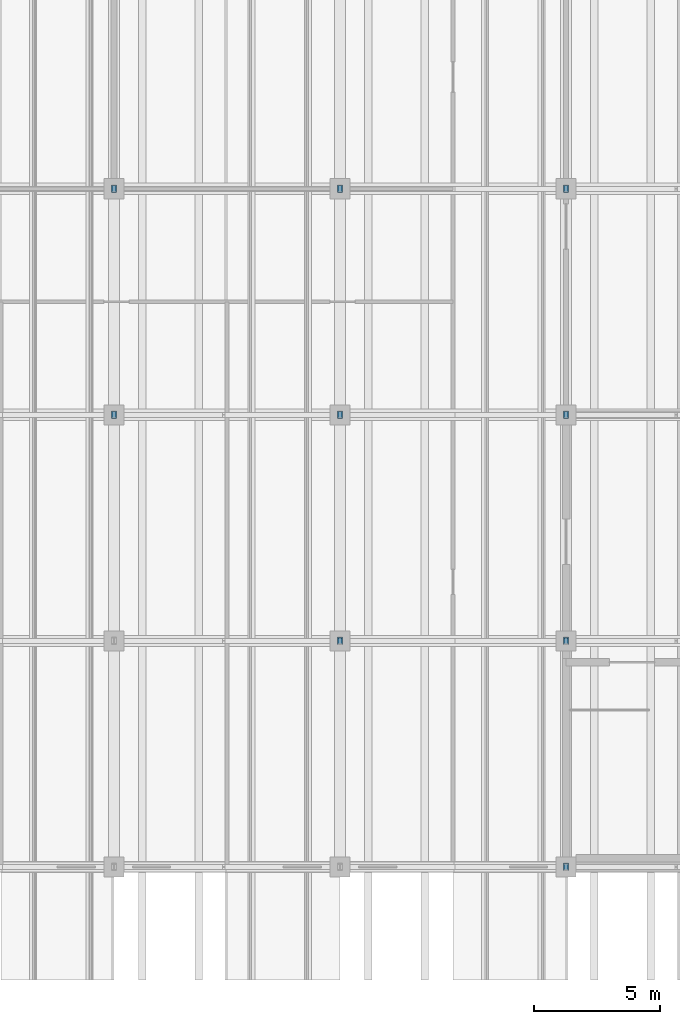
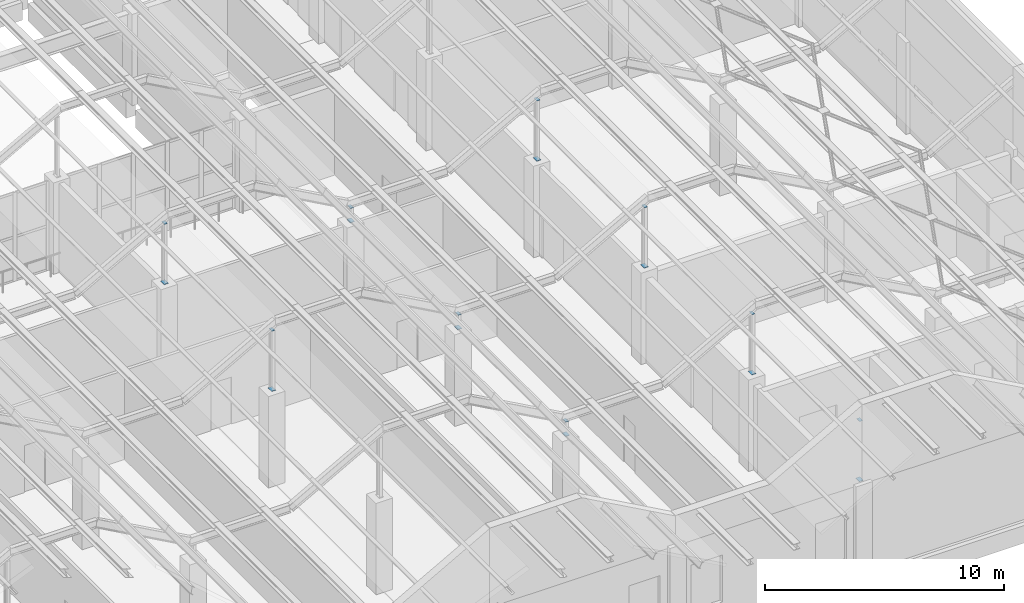
# One storey, part 343 of 437: 18 discrete accessories.
"""IFC4 building model written with IfcOpenShell, lengths in metres."""

from ifc_helpers import new_model, si_unit, direction, frame, origin, origin_2d, place, context, subcontext, project, spatial, rectangle, extrude, material, layer, layer_set, type_object, element, save


model = new_model("IFC4")

# Units and contexts
model_context = context("Model", 3, precision=1e-05, world=origin(), true_north=direction((0.0, 1.0)))
body_context = subcontext(model_context, "Body", "Model", "MODEL_VIEW")
ifc_project = project(units=[si_unit("LENGTHUNIT", "METRE"), si_unit("AREAUNIT", "SQUARE_METRE"), si_unit("VOLUMEUNIT", "CUBIC_METRE"), si_unit("PLANEANGLEUNIT", "RADIAN"), si_unit("MASSUNIT", "GRAM", prefix="KILO")], contexts=[model_context])

# Site, building, storey
site_placement = place(None, origin())
site = spatial("IfcSite", under=ifc_project, at=site_placement, CompositionType="ELEMENT")
building_placement = place(site_placement, origin())
building = spatial("IfcBuilding", under=site, at=building_placement, Name="Opaline Strait Convention Centre", CompositionType="ELEMENT")
storey_placement = place(building_placement, frame((0.0, 0.0, 11.5)))
storey = spatial("IfcBuildingStorey", under=building, at=storey_placement, Name="L02", CompositionType="ELEMENT", Elevation=11.5)

# Discrete accessories
ifc_material = material(Name="Steel Q355B", Category="steel")
ifc_layer_1 = layer(ifc_material, 0.02001953125)
ifc_layer_set_1 = layer_set([ifc_layer_1], Name="Steel Q355B")
discrete_accessory_type_1 = type_object("IfcDiscreteAccessoryType", Name="Roof post base plate 300 x 200 x 20", PredefinedType="ANCHORPLATE", material=ifc_layer_set_1)
for number, where, z_axis, x_axis, name in (
    (1, (63.0, 9.0, 4.669921875), (0.0, 0.0, 1.0), (1.0, 0.0, 0.0), "Roof post base plate at 63/9"),
    (2, (54.0, 18.0, 4.669921875), (0.0, 0.0, 1.0), (1.0, 0.0, 0.0), "Roof post base plate at 54/18"),
    (3, (63.0, 18.0, 4.669921875), (0.0, 0.0, 1.0), (1.0, 0.0, 0.0), "Roof post base plate at 63/18"),
    (4, (45.0, 27.0, 4.669921875), (0.0, 0.0, 1.0), (1.0, 0.0, 0.0), "Roof post base plate at 45/27"),
    (5, (54.0, 27.0, 4.669921875), (0.0, 0.0, 1.0), (1.0, 0.0, 0.0), "Roof post base plate at 54/27"),
    (6, (63.0, 27.0, 4.669921875), (0.0, 0.0, 1.0), (1.0, 0.0, 0.0), "Roof post base plate at 63/27"),
    (7, (45.0, 36.0, 4.669921875), (0.0, 0.0, 1.0), (1.0, 0.0, 0.0), "Roof post base plate at 45/36"),
    (8, (54.0, 36.0, 4.669921875), (0.0, 0.0, 1.0), (1.0, 0.0, 0.0), "Roof post base plate at 54/36"),
    (9, (63.0, 36.0, 4.669921875), (0.0, 0.0, 1.0), (1.0, 0.0, 0.0), "Roof post base plate at 63/36"),
):
    element("IfcDiscreteAccessory", number, at=place(storey_placement, frame(where, z_axis=z_axis, x_axis=x_axis)), inside=storey, type_object=discrete_accessory_type_1, Name=name, PredefinedType="ANCHORPLATE", context=body_context, shape_type="SweptSolid", body=[
        extrude(rectangle(XDim=0.199951171875, YDim=0.300048828125, at=origin_2d()), origin(), (0.0, 0.0, 1.0), 0.02001953125),
    ])
ifc_layer_2 = layer(ifc_material, 0.014892578125)
ifc_layer_set_2 = layer_set([ifc_layer_2], Name="Steel Q355B")
discrete_accessory_type_2 = type_object("IfcDiscreteAccessoryType", Name="Roof post cap plate 250 x 150 x 15", PredefinedType="ANCHORPLATE", material=ifc_layer_set_2)
for number, where, z_axis, x_axis, name in (
    (10, (63.0, 9.0, 7.72119140625), (0.0, 0.0, 1.0), (1.0, 0.0, 0.0), "Roof post cap plate at 63/9"),
    (11, (54.0, 18.0, 5.38525390625), (0.0, 0.0, 1.0), (1.0, 0.0, 0.0), "Roof post cap plate at 54/18"),
    (12, (63.0, 18.0, 7.72119140625), (0.0, 0.0, 1.0), (1.0, 0.0, 0.0), "Roof post cap plate at 63/18"),
    (13, (45.0, 27.0, 7.72119140625), (0.0, 0.0, 1.0), (1.0, 0.0, 0.0), "Roof post cap plate at 45/27"),
    (14, (54.0, 27.0, 5.38525390625), (0.0, 0.0, 1.0), (1.0, 0.0, 0.0), "Roof post cap plate at 54/27"),
    (15, (63.0, 27.0, 7.72119140625), (0.0, 0.0, 1.0), (1.0, 0.0, 0.0), "Roof post cap plate at 63/27"),
    (16, (45.0, 36.0, 7.72119140625), (0.0, 0.0, 1.0), (1.0, 0.0, 0.0), "Roof post cap plate at 45/36"),
    (17, (54.0, 36.0, 5.38525390625), (0.0, 0.0, 1.0), (1.0, 0.0, 0.0), "Roof post cap plate at 54/36"),
    (18, (63.0, 36.0, 7.72119140625), (0.0, 0.0, 1.0), (1.0, 0.0, 0.0), "Roof post cap plate at 63/36"),
):
    element("IfcDiscreteAccessory", number, at=place(storey_placement, frame(where, z_axis=z_axis, x_axis=x_axis)), inside=storey, type_object=discrete_accessory_type_2, Name=name, PredefinedType="ANCHORPLATE", context=body_context, shape_type="SweptSolid", body=[
        extrude(rectangle(XDim=0.14990234375, YDim=0.25, at=origin_2d()), origin(), (0.0, 0.0, 1.0), 0.014892578125),
    ])

save(model, "model.ifc")
